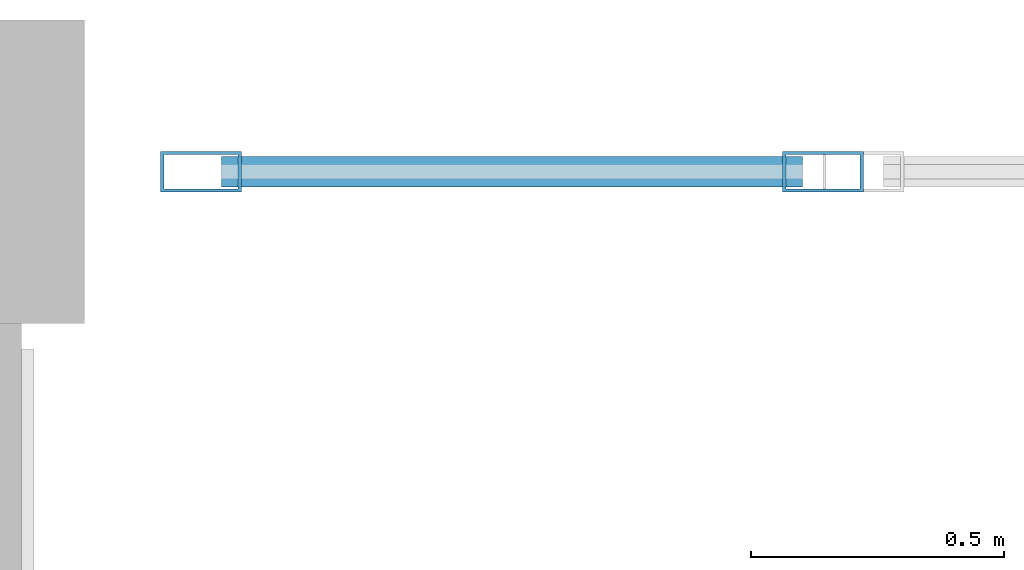
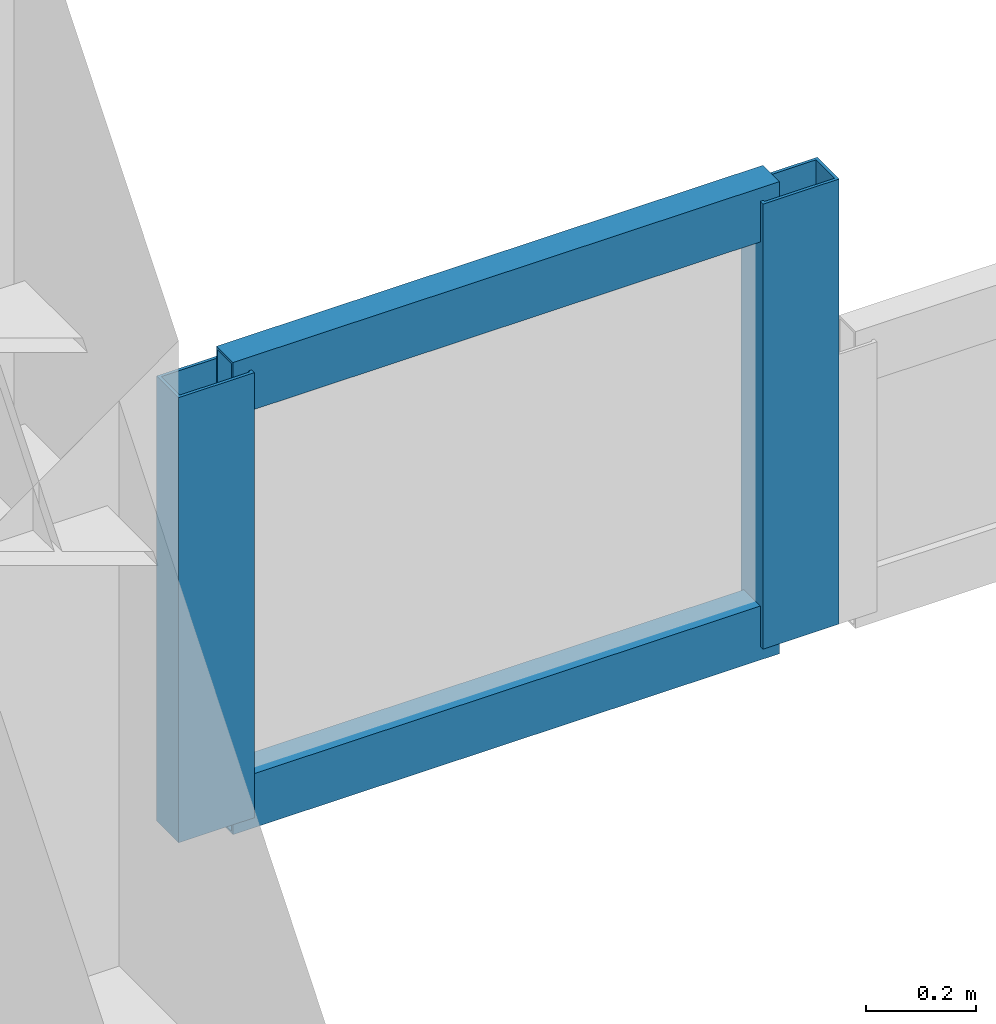
# One storey, part 44 of 105: 4 members, 1 element without a shape of its own.
"""IFC4 building model written with IfcOpenShell, lengths in metres."""

import ifcopenshell
import ifcopenshell.guid

model = None  # the IFC model being written
_history = None  # IfcOwnerHistory: only IFC2X3 demands one
_inside = {}  # id of a spatial element -> (the spatial element, [elements in it])
_under = {}  # id of a project, library or spatial element -> (it, [spatial elements below it])
_declared = {}  # id of a project -> (the project, [libraries it declares])
_typed = {}  # id of a type object -> (the type object, [elements of that type])
_made_of = {}  # id of a material, layer set ... -> (it, [elements and type objects made of it])


def new_model(schema):
    """Start an empty IFC model of exactly this schema.

    Asked for "IFC4X3", IfcOpenShell would pick the latest addendum, in which some entities
    have other attributes; the version numbers below select the first issue.
    IFC2X3 requires an IfcOwnerHistory on every rooted entity: one is made here for all.
    """
    global model, _history
    if schema == "IFC4X3":
        model = ifcopenshell.file(schema_version=(4, 3, 0, 0))
    else:
        model = ifcopenshell.file(schema=schema)
    _inside.clear()
    _under.clear()
    _declared.clear()
    _typed.clear()
    _made_of.clear()
    _history = None
    if model.schema == "IFC2X3":
        org = make("IfcOrganization", Name="unknown")
        user = make(
            "IfcPersonAndOrganization",
            ThePerson=make("IfcPerson", FamilyName="unknown"),
            TheOrganization=org,
        )
        app = make(
            "IfcApplication",
            ApplicationDeveloper=org,
            Version="unknown",
            ApplicationFullName="unknown",
            ApplicationIdentifier="unknown",
        )
        _history = make(
            "IfcOwnerHistory",
            OwningUser=user,
            OwningApplication=app,
            ChangeAction="ADDED",
            CreationDate=0,
        )
    return model


def make(cls, **values):
    """One entity of the class cls with the attributes given. An attribute that is None is left unset."""
    return model.create_entity(
        cls, **{name: value for name, value in values.items() if value is not None}
    )


def rooted(cls, **values):
    """An entity with a GlobalId (a new one), such as an element, a storey or a relation."""
    return make(cls, GlobalId=ifcopenshell.guid.new(), OwnerHistory=_history, **values)


def si_unit(unit_type, name, prefix=None):
    """IfcSIUnit, for example si_unit("LENGTHUNIT", "METRE", prefix="MILLI")."""
    return make("IfcSIUnit", UnitType=unit_type, Prefix=prefix, Name=name)


def assignment(units):
    """IfcUnitAssignment: the units of a project."""
    return None if units is None else make("IfcUnitAssignment", Units=units)


def point(xyz):
    """IfcCartesianPoint."""
    return None if xyz is None else make("IfcCartesianPoint", Coordinates=xyz)


def direction(xyz):
    """IfcDirection."""
    return None if xyz is None else make("IfcDirection", DirectionRatios=xyz)


def frame(location, z_axis=None, x_axis=None):
    """IfcAxis2Placement3D, a coordinate frame: its origin and axes. An axis left out is left unset."""
    return make(
        "IfcAxis2Placement3D",
        Location=point(location),
        Axis=direction(z_axis),
        RefDirection=direction(x_axis),
    )


def frame_2d(location, x_axis=None):
    """IfcAxis2Placement2D, a coordinate frame in the plane: its origin and x axis."""
    return make(
        "IfcAxis2Placement2D", Location=point(location), RefDirection=direction(x_axis)
    )


def origin():
    """The frame at (0, 0, 0) with its axes left unset."""
    return frame((0.0, 0.0, 0.0))


def origin_2d():
    """The frame at (0, 0) in the plane with its x axis left unset."""
    return frame_2d((0.0, 0.0))


def place(relative_to, where):
    """IfcLocalPlacement: puts the frame where relative to a parent placement (None: the world)."""
    return make(
        "IfcLocalPlacement", PlacementRelTo=relative_to, RelativePlacement=where
    )


def context(
    kind, dimensions, precision=None, world=None, true_north=None, identifier=None
):
    """IfcGeometricRepresentationContext, for example the 3D "Model" context."""
    return make(
        "IfcGeometricRepresentationContext",
        ContextIdentifier=identifier,
        ContextType=kind,
        CoordinateSpaceDimension=dimensions,
        Precision=precision,
        WorldCoordinateSystem=world,
        TrueNorth=true_north,
    )


def subcontext(parent, identifier, kind, view, scale=None):
    """IfcGeometricRepresentationSubContext, for example "Body" below "Model"."""
    return make(
        "IfcGeometricRepresentationSubContext",
        ContextIdentifier=identifier,
        ContextType=kind,
        ParentContext=parent,
        TargetScale=scale,
        TargetView=view,
    )


def project(units=None, contexts=None):
    """IfcProject with its units and contexts."""
    return rooted(
        "IfcProject",
        Name="project",
        RepresentationContexts=contexts,
        UnitsInContext=assignment(units),
    )


def spatial(cls, under=None, at=None, **own):
    """A site, building, storey or space (cls), placed at a placement, below another one or the project."""
    s = rooted(cls, ObjectPlacement=at, **own)
    if under is not None:
        _under.setdefault(under.id(), (under, []))[1].append(s)
    return s


def profile(cls, at=None, kind="AREA", **sizes):
    """A parametric profile (cls). Its sizes go by their IFC names, for example OverallWidth=200.0."""
    return make(cls, ProfileType=kind, Position=at, **sizes)


def hollow_rectangle(**sizes):
    """IfcRectangleHollowProfileDef."""
    return profile("IfcRectangleHollowProfileDef", **sizes)


def extrude(swept, where, along, depth):
    """IfcExtrudedAreaSolid: the profile swept, set in the frame where, extruded along a direction by depth."""
    return make(
        "IfcExtrudedAreaSolid",
        SweptArea=swept,
        Position=where,
        ExtrudedDirection=direction(along),
        Depth=depth,
    )


def shape(context_of_items, identifier, shape_type, items):
    """IfcShapeRepresentation: the items that make up one representation, for example the "Body"."""
    return make(
        "IfcShapeRepresentation",
        ContextOfItems=context_of_items,
        RepresentationIdentifier=identifier,
        RepresentationType=shape_type,
        Items=items,
    )


def material(Name=None, Category=None):
    """IfcMaterial."""
    return make("IfcMaterial", Name=Name, Category=Category)


def layer(
    of_material, thickness, ventilated=None, Name=None, Category=None, Priority=None
):
    """IfcMaterialLayer: one layer of a wall or slab, of a material (None: an air gap)."""
    return make(
        "IfcMaterialLayer",
        Material=of_material,
        LayerThickness=thickness,
        IsVentilated=ventilated,
        Name=Name,
        Category=Category,
        Priority=Priority,
    )


def layer_set(layers, Name=None):
    """IfcMaterialLayerSet."""
    return make("IfcMaterialLayerSet", MaterialLayers=layers, LayerSetName=Name)


def material_profile(
    of_material, cross_section, Name=None, Category=None, Priority=None
):
    """IfcMaterialProfile: a cross section and its material."""
    return make(
        "IfcMaterialProfile",
        Name=Name,
        Material=of_material,
        Profile=cross_section,
        Priority=Priority,
        Category=Category,
    )


def profile_set(profiles, Name=None, composite=None):
    """IfcMaterialProfileSet."""
    return make(
        "IfcMaterialProfileSet",
        Name=Name,
        MaterialProfiles=profiles,
        CompositeProfile=composite,
    )


def made_of(thing, what):
    """Note that an element or type object is made of a material, layer set ...; save() writes the relation."""
    if what is not None:
        _made_of.setdefault(what.id(), (what, []))[1].append(thing)
    return thing


def type_object(cls, material=None, **own):
    """A type object (cls), such as IfcWallType, which elements share."""
    return made_of(rooted(cls, **own), material)


def element(
    cls,
    number,
    at=None,
    inside=None,
    cuts=None,
    type_object=None,
    material=None,
    context=None,
    identifier="Body",
    shape_type=None,
    held_by="IfcProductDefinitionShape",
    body=None,
    shapes=None,
    **own,
):
    """One element of the class cls, such as IfcWall. Its Tag is "e" and its number.

    at: its placement. inside: the storey or other place that contains it. cuts: it is an
    opening in that element (IfcRelVoidsElement). A single representation is given by context,
    identifier, shape_type and body (its items); several are given by shapes. held_by: the class
    of the entity that holds the representations. save() writes the other relations.
    """
    e = rooted(cls, Tag="e%d" % number, ObjectPlacement=at, **own)
    if body is not None:
        shapes = [shape(context, identifier, shape_type, body)]
    if shapes is not None:
        e.Representation = make(held_by, Representations=shapes)
    if inside is not None:
        _inside.setdefault(inside.id(), (inside, []))[1].append(e)
    if cuts is not None:
        rooted(
            "IfcRelVoidsElement", RelatingBuildingElement=cuts, RelatedOpeningElement=e
        )
    if type_object is not None:
        _typed.setdefault(type_object.id(), (type_object, []))[1].append(e)
    return made_of(e, material)


def aggregate(whole, parts):
    """IfcRelAggregates: a whole, such as a stair, and the parts it consists of."""
    return rooted("IfcRelAggregates", RelatingObject=whole, RelatedObjects=parts)


def save(model, path):
    """Write the relations noted so far, then the file.

    IfcRelAggregates (storeys below a building ...), IfcRelContainedInSpatialStructure (elements
    in a storey), IfcRelDefinesByType, IfcRelAssociatesMaterial and IfcRelDeclares: one each for
    every whole, place, type object, material and project.
    """
    for whole, parts in _under.values():
        aggregate(whole, parts)
    for where, things in _inside.values():
        rooted(
            "IfcRelContainedInSpatialStructure",
            RelatedElements=things,
            RelatingStructure=where,
        )
    for kind, things in _typed.values():
        rooted("IfcRelDefinesByType", RelatedObjects=things, RelatingType=kind)
    for what, things in _made_of.values():
        rooted("IfcRelAssociatesMaterial", RelatedObjects=things, RelatingMaterial=what)
    for by, libraries in _declared.values():
        rooted("IfcRelDeclares", RelatingContext=by, RelatedDefinitions=libraries)
    model.write(path)


model = new_model("IFC4")

# Units and contexts
model_context = context("Model", 3, precision=1e-05, world=origin(), true_north=direction((0.0, 1.0)))
body_context = subcontext(model_context, "Body", "Model", "MODEL_VIEW")
ifc_project = project(units=[si_unit("LENGTHUNIT", "METRE"), si_unit("AREAUNIT", "SQUARE_METRE"), si_unit("VOLUMEUNIT", "CUBIC_METRE"), si_unit("PLANEANGLEUNIT", "RADIAN"), si_unit("MASSUNIT", "GRAM", prefix="KILO"), si_unit("THERMODYNAMICTEMPERATUREUNIT", "KELVIN"), si_unit("POWERUNIT", "WATT")], contexts=[model_context])

# Site, building, storey
site_placement = place(None, origin())
site = spatial("IfcSite", under=ifc_project, at=site_placement, CompositionType="ELEMENT")
building_placement = place(site_placement, origin())
building = spatial("IfcBuilding", under=site, at=building_placement, Name="Kaldorven Railside Theatre", CompositionType="ELEMENT")
storey_placement = place(building_placement, frame((0.0, 0.0, 9.89990234375)))
storey = spatial("IfcBuildingStorey", under=building, at=storey_placement, Name="L02", CompositionType="ELEMENT", Elevation=9.89990234375)

# Curtain wall, members
ifc_material_1 = material(Name="Low-E laminated solar-control glass", Category="glass")
ifc_layer = layer(ifc_material_1, 0.159912109375, Name="Low-E laminated solar-control glass")
ifc_layer_set = layer_set([ifc_layer], Name="Low-E laminated solar-control glass")
curtain_wall_type = type_object("IfcCurtainWallType", Name="CWT-69", PredefinedType="USERDEFINED", material=ifc_layer_set)
curtain_wall_placement = place(storey_placement, origin())
curtain_wall = element("IfcCurtainWall", 1, at=curtain_wall_placement, inside=storey, type_object=curtain_wall_type, Name="Workshop North Gable Clerestory CWG-154", ObjectType="FLUTED GLAZING", PredefinedType="USERDEFINED")
ifc_material_2 = material(Name="Anodised bronze aluminium", Category="aluminium")
ifc_material_profile_1 = material_profile(ifc_material_2, hollow_rectangle(XDim=0.080078125, YDim=0.159912109375, WallThickness=0.00634765625, at=origin_2d()), Name="RHS 160x80x6.3")
ifc_profile_set_1 = profile_set([ifc_material_profile_1], Name="Anodised bronze aluminium")
member_type_1 = type_object("IfcMemberType", Name="CWM-160", PredefinedType="MULLION", material=ifc_profile_set_1)
member_1_placement = place(storey_placement, frame((181.330078125, 141.60009765625, 0.02001953125), z_axis=(0.0, 0.0, 1.0), x_axis=(0.0, 1.0, 0.0)))
member_1 = element("IfcMember", 2, at=member_1_placement, type_object=member_type_1, Name="CWG-154 mullion 1", PredefinedType="MULLION", context=body_context, shape_type="SweptSolid", body=[
    extrude(hollow_rectangle(XDim=0.080078125, YDim=0.159912109375, WallThickness=0.00634765625, at=origin_2d()), origin(), (0.0, 0.0, 1.0), 0.989990234375),
])
member_2_placement = place(storey_placement, frame((182.56005859375, 141.60009765625, 0.02001953125), z_axis=(0.0, 0.0, 1.0), x_axis=(0.0, 1.0, 0.0)))
member_2 = element("IfcMember", 3, at=member_2_placement, type_object=member_type_1, Name="CWG-154 mullion 2", PredefinedType="MULLION", context=body_context, shape_type="SweptSolid", body=[
    extrude(hollow_rectangle(XDim=0.080078125, YDim=0.159912109375, WallThickness=0.00634765625, at=origin_2d()), origin(), (0.0, 0.0, 1.0), 0.989990234375),
])
ifc_material_profile_2 = material_profile(ifc_material_2, hollow_rectangle(XDim=0.06005859375, YDim=0.1201171875, WallThickness=0.0048828125, at=origin_2d()), Name="RHS 120x60x5")
ifc_profile_set_2 = profile_set([ifc_material_profile_2], Name="Anodised bronze aluminium")
member_type_2 = type_object("IfcMemberType", Name="CWT-120", PredefinedType="USERDEFINED", material=ifc_profile_set_2)
member_3_placement = place(storey_placement, frame((181.3701171875, 141.60009765625, 0.050048828125), z_axis=(1.0, 0.0, 0.0), x_axis=(0.0, 1.0, 0.0)))
member_3 = element("IfcMember", 4, at=member_3_placement, type_object=member_type_2, Name="CWG-154 transom 1.1", ObjectType="TRANSOM", PredefinedType="USERDEFINED", context=body_context, shape_type="SweptSolid", body=[
    extrude(hollow_rectangle(XDim=0.06005859375, YDim=0.1201171875, WallThickness=0.0048828125, at=origin_2d()), origin(), (0.0, 0.0, 1.0), 1.14990234375),
])
member_4_placement = place(storey_placement, frame((181.3701171875, 141.60009765625, 0.97998046875), z_axis=(1.0, 0.0, 0.0), x_axis=(0.0, 1.0, 0.0)))
member_4 = element("IfcMember", 5, at=member_4_placement, type_object=member_type_2, Name="CWG-154 transom 1.2", ObjectType="TRANSOM", PredefinedType="USERDEFINED", context=body_context, shape_type="SweptSolid", body=[
    extrude(hollow_rectangle(XDim=0.06005859375, YDim=0.1201171875, WallThickness=0.0048828125, at=origin_2d()), origin(), (0.0, 0.0, 1.0), 1.14990234375),
])
aggregate(curtain_wall, [member_1, member_2, member_3, member_4])

save(model, "model.ifc")
